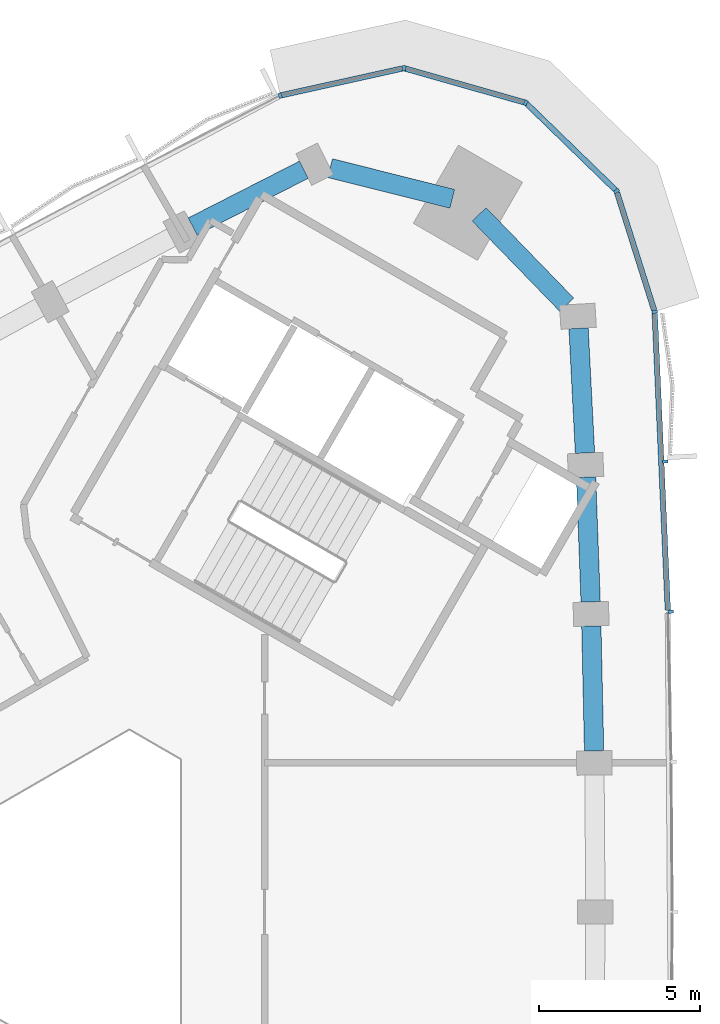
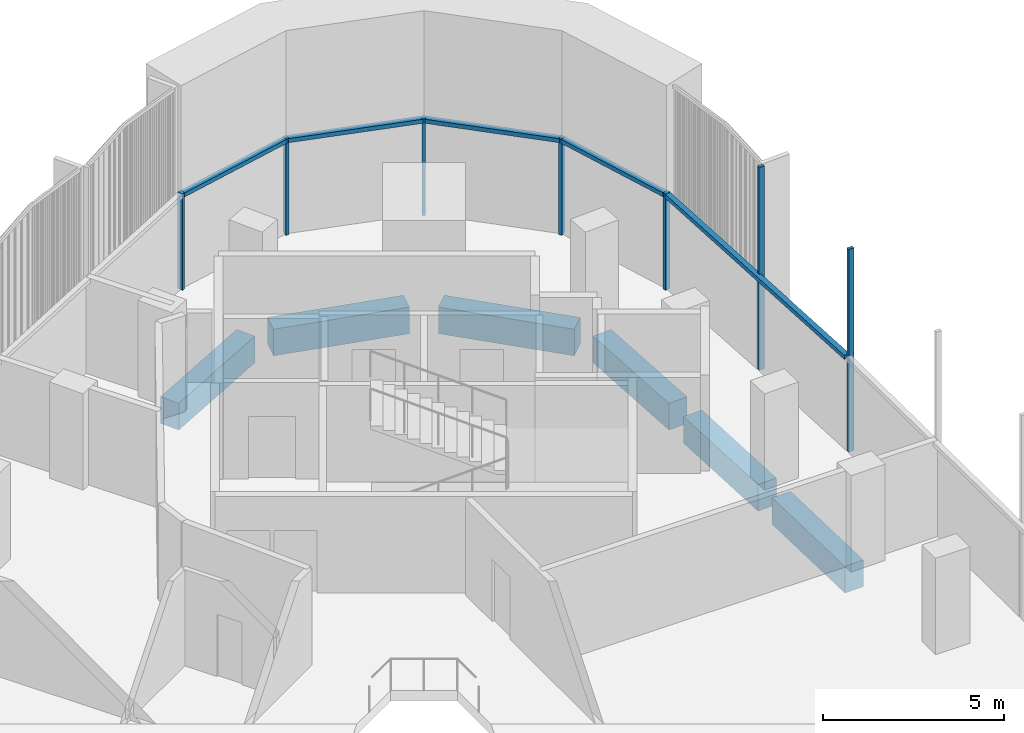
# One storey, part 6 of 16: 12 members, 6 beams, 2 elements without a shape of their own.
"""IFC4 building model written with IfcOpenShell, lengths in metres."""

from ifc_helpers import new_model, si_unit, direction, frame, origin, origin_2d, place, context, subcontext, project, spatial, rectangle, extrude, material, material_profile, profile_set, type_object, element, aggregate, save


model = new_model("IFC4")

# Units and contexts
model_context = context("Model", 3, precision=1e-05, world=origin(), true_north=direction((0.0, 1.0)))
body_context = subcontext(model_context, "Body", "Model", "MODEL_VIEW")
ifc_project = project(units=[si_unit("LENGTHUNIT", "METRE"), si_unit("AREAUNIT", "SQUARE_METRE"), si_unit("VOLUMEUNIT", "CUBIC_METRE"), si_unit("PLANEANGLEUNIT", "RADIAN"), si_unit("MASSUNIT", "GRAM", prefix="KILO")], contexts=[model_context])

# Site, building, storey
site_placement = place(None, origin())
site = spatial("IfcSite", under=ifc_project, at=site_placement, CompositionType="ELEMENT")
building_placement = place(site_placement, origin())
building = spatial("IfcBuilding", under=site, at=building_placement, Name="Tamra Quay Hotel Tower", CompositionType="ELEMENT")
storey_placement = place(building_placement, frame((0.0, 0.0, 243.0)))
storey = spatial("IfcBuildingStorey", under=building, at=storey_placement, Name="L61", CompositionType="ELEMENT", Elevation=243.0)

# Curtain wall, members
ifc_material_1 = material(Name="Aluminium 6063 anodised dark grey", Category="aluminium")
curtain_wall_type_1 = type_object("IfcCurtainWallType", Name="CW1 CURTAIN WALL", PredefinedType="NOTDEFINED", material=ifc_material_1)
curtain_wall_1_placement = place(storey_placement, origin())
curtain_wall_1 = element("IfcCurtainWall", 1, at=curtain_wall_1_placement, inside=storey, type_object=curtain_wall_type_1, Name="CW1 east face L61", PredefinedType="NOTDEFINED")
ifc_material_profile_1 = material_profile(ifc_material_1, rectangle(XDim=0.169921875, YDim=0.10009765625, at=origin_2d()), Name="MULLION 100X170")
ifc_profile_set_1 = profile_set([ifc_material_profile_1], Name="Aluminium 6063 anodised dark grey")
member_type_1 = type_object("IfcMemberType", Name="MULLION CW1 Z5", PredefinedType="MULLION", material=ifc_profile_set_1)
member_1_placement = place(storey_placement, frame((19.0029296875, 9.3212890625, 0.0), z_axis=(0.0, 0.0, 1.0), x_axis=(0.999567604461, 0.029404151257, 0.0)))
member_1 = element("IfcMember", 2, at=member_1_placement, type_object=member_type_1, Name="CW1 mullion L61.E.7", PredefinedType="MULLION", context=body_context, shape_type="SweptSolid", body=[
    extrude(rectangle(XDim=0.169921875, YDim=0.10009765625, at=origin_2d()), origin(), (0.0, 0.0, 1.0), 6.85009765625),
])
member_2_placement = place(storey_placement, frame((18.831787109375, 13.980224609375, 0.0), z_axis=(0.0, 0.0, 1.0), x_axis=(0.999028242541, 0.044074602737, 0.0)))
member_2 = element("IfcMember", 3, at=member_2_placement, type_object=member_type_1, Name="CW1 mullion L61.E.8", PredefinedType="MULLION", context=body_context, shape_type="SweptSolid", body=[
    extrude(rectangle(XDim=0.169921875, YDim=0.10009765625, at=origin_2d()), origin(), (0.0, 0.0, 1.0), 6.85009765625),
])
member_3_placement = place(storey_placement, frame((18.50732421875, 18.63037109375, 0.0), z_axis=(0.0, 0.0, 1.0), x_axis=(0.984105369622, 0.177585532857, 0.0)))
member_3 = element("IfcMember", 4, at=member_3_placement, type_object=member_type_1, Name="CW1 mullion L61.E.9", PredefinedType="MULLION", context=body_context, shape_type="SweptSolid", body=[
    extrude(rectangle(XDim=0.169921875, YDim=0.10009765625, at=origin_2d()), origin(), (0.0, 0.0, 1.0), 3.25),
])
member_4_placement = place(storey_placement, frame((17.323974609375, 22.38037109375, 0.0), z_axis=(0.0, 0.0, 1.0), x_axis=(0.851044298206, 0.525093898736, 0.0)))
member_4 = element("IfcMember", 5, at=member_4_placement, type_object=member_type_1, Name="CW1 mullion L61.E.10", PredefinedType="MULLION", context=body_context, shape_type="SweptSolid", body=[
    extrude(rectangle(XDim=0.169921875, YDim=0.10009765625, at=origin_2d()), origin(), (0.0, 0.0, 1.0), 3.25),
])
member_5_placement = place(storey_placement, frame((14.503173828125, 25.1201171875, 0.0), z_axis=(0.0, 0.0, 1.0), x_axis=(0.5, 0.866025403784, 0.0)))
member_5 = element("IfcMember", 6, at=member_5_placement, type_object=member_type_1, Name="CW1 mullion L61.E.11", PredefinedType="MULLION", context=body_context, shape_type="SweptSolid", body=[
    extrude(rectangle(XDim=0.169921875, YDim=0.10009765625, at=origin_2d()), origin(), (0.0, 0.0, 1.0), 3.25),
])
member_6_placement = place(storey_placement, frame((10.719970703125, 26.193359375, 0.0), z_axis=(0.0, 0.0, 1.0), x_axis=(0.029222506575, 0.999572931361, 0.0)))
member_6 = element("IfcMember", 7, at=member_6_placement, type_object=member_type_1, Name="CW1 mullion L61.E.12", PredefinedType="MULLION", context=body_context, shape_type="SweptSolid", body=[
    extrude(rectangle(XDim=0.169921875, YDim=0.10009765625, at=origin_2d()), origin(), (0.0, 0.0, 1.0), 3.25),
])

# Curtain wall, member
curtain_wall_type_2 = type_object("IfcCurtainWallType", Name="CW2 CURTAIN WALL", PredefinedType="NOTDEFINED", material=ifc_material_1)
curtain_wall_2_placement = place(storey_placement, origin())
curtain_wall_2 = element("IfcCurtainWall", 8, at=curtain_wall_2_placement, inside=storey, type_object=curtain_wall_type_2, Name="CW2 north-west face L61", PredefinedType="NOTDEFINED")
ifc_material_profile_2 = material_profile(ifc_material_1, rectangle(XDim=0.169921875, YDim=0.10009765625, at=origin_2d()), Name="MULLION 100X170")
ifc_profile_set_2 = profile_set([ifc_material_profile_2], Name="Aluminium 6063 anodised dark grey")
member_type_2 = type_object("IfcMemberType", Name="MULLION CW2 Z5", PredefinedType="MULLION", material=ifc_profile_set_2)
member_7_placement = place(storey_placement, frame((6.880615234375, 25.343017578125, 0.0), z_axis=(0.0, 0.0, 1.0), x_axis=(-0.338259102012, 0.941053016522, 0.0)))
member_7 = element("IfcMember", 9, at=member_7_placement, type_object=member_type_2, Name="CW2 mullion L61.NW.1", PredefinedType="MULLION", context=body_context, shape_type="SweptSolid", body=[
    extrude(rectangle(XDim=0.169921875, YDim=0.10009765625, at=origin_2d()), origin(), (0.0, 0.0, 1.0), 3.25),
])
aggregate(curtain_wall_2, [member_7])

# Beams
ifc_material_2 = material(Name="Concrete M60", Category="concrete")
ifc_material_profile_3 = material_profile(ifc_material_2, rectangle(XDim=0.60009765625, YDim=0.89990234375, at=origin_2d()), Name="SPANDREL BEAM RC 600x900")
ifc_profile_set_3 = profile_set([ifc_material_profile_3], Name="Concrete M60")
beam_type = type_object("IfcBeamType", Name="SPANDREL BEAM RC 600x900", PredefinedType="SPANDREL", material=ifc_profile_set_3)
beam_1_placement = place(storey_placement, frame((16.626953125, 5.0, -0.800048828125), z_axis=(-0.022047440235, 0.999756925647, 0.0), x_axis=(-0.999756925647, -0.022047440235, 0.0)))
element("IfcBeam", 10, at=beam_1_placement, inside=storey, type_object=beam_type, Name="BM-SP5-005-L61", PredefinedType="SPANDREL", context=body_context, shape_type="SweptSolid", body=[
    extrude(rectangle(XDim=0.60009765625, YDim=0.89990234375, at=origin_2d()), origin(), (0.0, 0.0, 1.0), 3.875732421875),
])
beam_2_placement = place(storey_placement, frame((16.51953125, 9.62451171875, -0.800048828125), z_axis=(-0.036732019634, 0.999325151657, 0.0), x_axis=(-0.999325151657, -0.036732019634, 0.0)))
element("IfcBeam", 11, at=beam_2_placement, inside=storey, type_object=beam_type, Name="BM-SP5-006-L61", PredefinedType="SPANDREL", context=body_context, shape_type="SweptSolid", body=[
    extrude(rectangle(XDim=0.60009765625, YDim=0.89990234375, at=origin_2d()), origin(), (0.0, 0.0, 1.0), 3.875),
])
beam_3_placement = place(storey_placement, frame((16.343994140625, 14.24609375, -0.800048828125), z_axis=(-0.051404854824, 0.998677896471, 0.0), x_axis=(-0.998677896471, -0.051404854824, 0.0)))
element("IfcBeam", 12, at=beam_3_placement, inside=storey, type_object=beam_type, Name="BM-SP5-007-L61", PredefinedType="SPANDREL", context=body_context, shape_type="SweptSolid", body=[
    extrude(rectangle(XDim=0.60009765625, YDim=0.89990234375, at=origin_2d()), origin(), (0.0, 0.0, 1.0), 3.87548828125),
])
beam_4_placement = place(storey_placement, frame((15.781005859375, 18.846435546875, -0.800048828125), z_axis=(-0.69594408001, 0.718095980701, 0.0), x_axis=(-0.718095980701, -0.69594408001, 0.0)))
element("IfcBeam", 13, at=beam_4_placement, inside=storey, type_object=beam_type, Name="BM-SP5-008-L61", PredefinedType="SPANDREL", context=body_context, shape_type="SweptSolid", body=[
    extrude(rectangle(XDim=0.60009765625, YDim=0.89990234375, at=origin_2d()), origin(), (0.0, 0.0, 1.0), 3.91259765625),
])
beam_5_placement = place(storey_placement, frame((12.225830078125, 22.136474609375, -0.800048828125), z_axis=(-0.969848171666, 0.243709917558, 0.0), x_axis=(-0.243709917558, -0.969848171666, 0.0)))
element("IfcBeam", 14, at=beam_5_placement, inside=storey, type_object=beam_type, Name="BM-SP5-009-L61", PredefinedType="SPANDREL", context=body_context, shape_type="SweptSolid", body=[
    extrude(rectangle(XDim=0.60009765625, YDim=0.89990234375, at=origin_2d()), origin(), (0.0, 0.0, 1.0), 3.912841796875),
])
beam_6_placement = place(storey_placement, frame((7.616943359375, 23.0400390625, -0.800048828125), z_axis=(-0.890602550436, -0.454782472349, 0.0), x_axis=(0.454782472349, -0.890602550436, 0.0)))
element("IfcBeam", 15, at=beam_6_placement, inside=storey, type_object=beam_type, Name="BM-SP5-010-L61", PredefinedType="SPANDREL", context=body_context, shape_type="SweptSolid", body=[
    extrude(rectangle(XDim=0.60009765625, YDim=0.89990234375, at=origin_2d()), origin(), (0.0, 0.0, 1.0), 3.87548828125),
])

# Member
ifc_material_profile_4 = material_profile(ifc_material_1, rectangle(XDim=0.169921875, YDim=0.139892578125, at=origin_2d()), Name="TRANSOM 170X140")
ifc_profile_set_4 = profile_set([ifc_material_profile_4], Name="Aluminium 6063 anodised dark grey")
member_type_3 = type_object("IfcMemberType", Name="TRANSOM CW1 Z5", PredefinedType="USERDEFINED", material=ifc_profile_set_4)
member_8_placement = place(storey_placement, frame((18.916259765625, 9.368896484375, 3.179931640625), z_axis=(-0.044086433995, 0.999027720505, 0.0), x_axis=(-0.999027720505, -0.044086433995, 0.0)))
member_8 = element("IfcMember", 16, at=member_8_placement, type_object=member_type_3, Name="CW1 transom L61.E.7", ObjectType="TRANSOM", PredefinedType="USERDEFINED", context=body_context, shape_type="SweptSolid", body=[
    extrude(rectangle(XDim=0.169921875, YDim=0.139892578125, at=origin_2d()), origin(), (0.0, 0.0, 1.0), 9.220458984375),
])

member_9_placement = place(storey_placement, frame((18.4921875, 18.677978515625, 3.179931640625), z_axis=(-0.300878302807, 0.953662543513, 0.0), x_axis=(-0.953662543513, -0.300878302807, 0.0)))
member_9 = element("IfcMember", 17, at=member_9_placement, type_object=member_type_3, Name="CW1 transom L61.E.9", ObjectType="TRANSOM", PredefinedType="USERDEFINED", context=body_context, shape_type="SweptSolid", body=[
    extrude(rectangle(XDim=0.169921875, YDim=0.139892578125, at=origin_2d()), origin(), (0.0, 0.0, 1.0), 3.832275390625),
])

member_10_placement = place(storey_placement, frame((17.2880859375, 22.415283203125, 3.179931640625), z_axis=(-0.717352155518, 0.696710761345, 0.0), x_axis=(-0.696710761345, -0.717352155518, 0.0)))
member_10 = element("IfcMember", 18, at=member_10_placement, type_object=member_type_3, Name="CW1 transom L61.E.10", ObjectType="TRANSOM", PredefinedType="USERDEFINED", context=body_context, shape_type="SweptSolid", body=[
    extrude(rectangle(XDim=0.169921875, YDim=0.139892578125, at=origin_2d()), origin(), (0.0, 0.0, 1.0), 3.832275390625),
])

member_11_placement = place(storey_placement, frame((14.455078125, 25.1337890625, 3.179931640625), z_axis=(-0.962041469084, 0.272903301123, 0.0), x_axis=(-0.272903301123, -0.962041469084, 0.0)))
member_11 = element("IfcMember", 19, at=member_11_placement, type_object=member_type_3, Name="CW1 transom L61.E.11", ObjectType="TRANSOM", PredefinedType="USERDEFINED", context=body_context, shape_type="SweptSolid", body=[
    extrude(rectangle(XDim=0.169921875, YDim=0.139892578125, at=origin_2d()), origin(), (0.0, 0.0, 1.0), 3.83251953125),
])

member_12_placement = place(storey_placement, frame((10.671142578125, 26.182373046875, 3.179931640625), z_axis=(-0.976345686568, -0.216215402598, 0.0), x_axis=(0.216215402598, -0.976345686568, 0.0)))
member_12 = element("IfcMember", 20, at=member_12_placement, type_object=member_type_3, Name="CW1 transom L61.E.12", ObjectType="TRANSOM", PredefinedType="USERDEFINED", context=body_context, shape_type="SweptSolid", body=[
    extrude(rectangle(XDim=0.169921875, YDim=0.139892578125, at=origin_2d()), origin(), (0.0, 0.0, 1.0), 3.832275390625),
])

aggregate(curtain_wall_1, [member_1, member_8, member_2, member_3, member_9, member_4, member_10, member_5, member_11, member_6, member_12])

save(model, "model.ifc")
